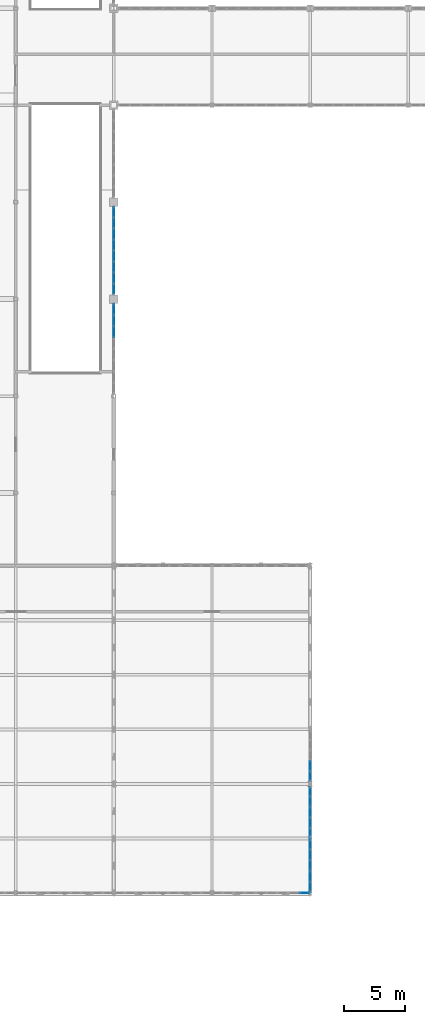
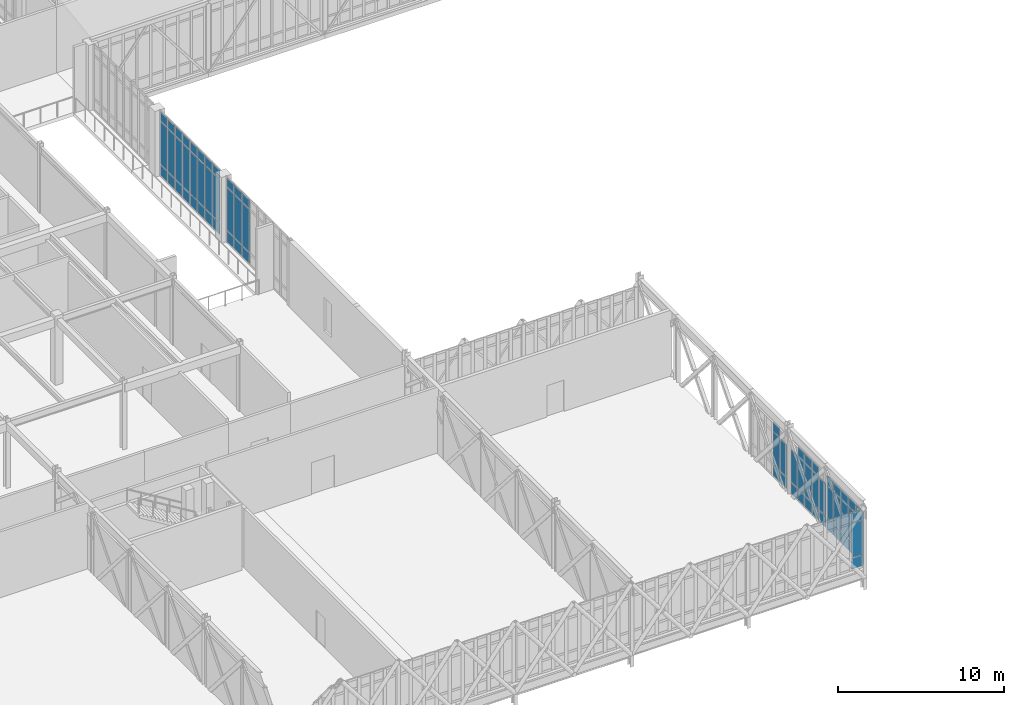
# One storey, part 69 of 107: 69 plates, 6 elements without a shape of their own.
"""IFC4 building model written with IfcOpenShell, lengths in metres."""

from ifc_helpers import new_model, si_unit, direction, frame, origin, origin_2d, place, context, subcontext, project, spatial, rectangle, extrude, material, layer, layer_set, type_object, element, aggregate, save


model = new_model("IFC4")

# Units and contexts
model_context = context("Model", 3, precision=1e-05, world=origin(), true_north=direction((0.0, 1.0)))
body_context = subcontext(model_context, "Body", "Model", "MODEL_VIEW")
ifc_project = project(units=[si_unit("LENGTHUNIT", "METRE"), si_unit("AREAUNIT", "SQUARE_METRE"), si_unit("VOLUMEUNIT", "CUBIC_METRE"), si_unit("PLANEANGLEUNIT", "RADIAN"), si_unit("MASSUNIT", "GRAM", prefix="KILO")], contexts=[model_context])

# Site, building, storey
site_placement = place(None, origin())
site = spatial("IfcSite", under=ifc_project, at=site_placement, CompositionType="ELEMENT")
building_placement = place(site_placement, origin())
building = spatial("IfcBuilding", under=site, at=building_placement, Name="Tarnveldt Square Police Headquarters", CompositionType="ELEMENT")
storey_placement = place(building_placement, frame((0.0, 0.0, 14.699951171875)))
storey = spatial("IfcBuildingStorey", under=building, at=storey_placement, Name="L03", CompositionType="ELEMENT", Elevation=14.699951171875)

# Curtain wall, plates
ifc_material_1 = material(Name="UL 752 Level III laminated ballistic vision glass", Category="glass")
curtain_wall_type_1 = type_object("IfcCurtainWallType", Name="CW-BL-810x422", PredefinedType="USERDEFINED", material=ifc_material_1)
curtain_wall_1_placement = place(storey_placement, origin())
curtain_wall_1 = element("IfcCurtainWall", 1, at=curtain_wall_1_placement, inside=storey, type_object=curtain_wall_type_1, Name="L03 Curtain Wall CW-L03-029", ObjectType="BALLISTIC CURTAIN WALL", PredefinedType="USERDEFINED")
ifc_layer_1 = layer(ifc_material_1, 0.0380859375)
ifc_layer_set_1 = layer_set([ifc_layer_1], Name="UL 752 Level III laminated ballistic vision glass")
plate_type_1 = type_object("IfcPlateType", Name="CWP-BAL-38", PredefinedType="CURTAIN_PANEL", material=ifc_layer_set_1)
plate_1_placement = place(storey_placement, frame((64.328857421875, 7.0, 0.074951171875), z_axis=(0.0, 0.0, 1.0), x_axis=(1.0, 0.0, 0.0)))
plate_1 = element("IfcPlate", 2, at=plate_1_placement, type_object=plate_type_1, Name="CW-BL12 panel 9.1", PredefinedType="CURTAIN_PANEL", context=body_context, shape_type="SweptSolid", body=[
    extrude(rectangle(XDim=0.7724609375, YDim=0.0380859375, at=origin_2d()), origin(), (0.0, 0.0, 1.0), 0.78759765625),
])
plate_2_placement = place(storey_placement, frame((64.328857421875, 7.0, 0.9375), z_axis=(0.0, 0.0, 1.0), x_axis=(1.0, 0.0, 0.0)))
plate_2 = element("IfcPlate", 3, at=plate_2_placement, type_object=plate_type_1, Name="CW-BL12 panel 9.2", PredefinedType="CURTAIN_PANEL", context=body_context, shape_type="SweptSolid", body=[
    extrude(rectangle(XDim=0.7724609375, YDim=0.0380859375, at=origin_2d()), origin(), (0.0, 0.0, 1.0), 2.4951171875),
])
plate_3_placement = place(storey_placement, frame((64.328857421875, 7.0, 3.5078125), z_axis=(0.0, 0.0, 1.0), x_axis=(1.0, 0.0, 0.0)))
plate_3 = element("IfcPlate", 4, at=plate_3_placement, type_object=plate_type_1, Name="CW-BL12 panel 9.3", PredefinedType="CURTAIN_PANEL", context=body_context, shape_type="SweptSolid", body=[
    extrude(rectangle(XDim=0.7724609375, YDim=0.0380859375, at=origin_2d()), origin(), (0.0, 0.0, 1.0), 0.637451171875),
])
aggregate(curtain_wall_1, [plate_1, plate_2, plate_3])

ifc_material_2 = material(Name="Triple-glazed low-e laminated vision glass", Category="glass")
curtain_wall_type_2 = type_object("IfcCurtainWallType", Name="CW-LT-450x407", PredefinedType="USERDEFINED", material=ifc_material_2)
curtain_wall_2_placement = place(storey_placement, origin())
curtain_wall_2 = element("IfcCurtainWall", 5, at=curtain_wall_2_placement, inside=storey, type_object=curtain_wall_type_2, Name="L03 Curtain Wall CW-L03-037", ObjectType="GLAZED CURTAIN WALL", PredefinedType="USERDEFINED")
ifc_layer_2 = layer(ifc_material_2, 0.028076171875)
ifc_layer_set_2 = layer_set([ifc_layer_2], Name="Triple-glazed low-e laminated vision glass")
plate_type_2 = type_object("IfcPlateType", Name="CWP-VIS-28", PredefinedType="CURTAIN_PANEL", material=ifc_layer_set_2)
plate_4_placement = place(storey_placement, frame((64.800048828125, 7.46875, 0.074951171875), z_axis=(0.0, 0.0, 1.0), x_axis=(0.0, 1.0, 0.0)))
plate_4 = element("IfcPlate", 6, at=plate_4_placement, type_object=plate_type_2, Name="CW-LT16 panel 1.1", PredefinedType="CURTAIN_PANEL", context=body_context, shape_type="SweptSolid", body=[
    extrude(rectangle(XDim=0.78759765625, YDim=0.028076171875, at=origin_2d()), origin(), (0.0, 0.0, 1.0), 0.78759765625),
])
plate_5_placement = place(storey_placement, frame((64.800048828125, 7.46875, 0.9375), z_axis=(0.0, 0.0, 1.0), x_axis=(0.0, 1.0, 0.0)))
plate_5 = element("IfcPlate", 7, at=plate_5_placement, type_object=plate_type_2, Name="CW-LT16 panel 1.2", PredefinedType="CURTAIN_PANEL", context=body_context, shape_type="SweptSolid", body=[
    extrude(rectangle(XDim=0.78759765625, YDim=0.028076171875, at=origin_2d()), origin(), (0.0, 0.0, 1.0), 2.341064453125),
])
plate_6_placement = place(storey_placement, frame((64.800048828125, 7.46875, 3.353515625), z_axis=(0.0, 0.0, 1.0), x_axis=(0.0, 1.0, 0.0)))
plate_6 = element("IfcPlate", 8, at=plate_6_placement, type_object=plate_type_2, Name="CW-LT16 panel 1.3", PredefinedType="CURTAIN_PANEL", context=body_context, shape_type="SweptSolid", body=[
    extrude(rectangle(XDim=0.78759765625, YDim=0.028076171875, at=origin_2d()), origin(), (0.0, 0.0, 1.0), 0.637451171875),
])
plate_7_placement = place(storey_placement, frame((64.800048828125, 8.35009765625, 0.074951171875), z_axis=(0.0, 0.0, 1.0), x_axis=(0.0, 1.0, 0.0)))
plate_7 = element("IfcPlate", 9, at=plate_7_placement, type_object=plate_type_2, Name="CW-LT16 panel 2.1", PredefinedType="CURTAIN_PANEL", context=body_context, shape_type="SweptSolid", body=[
    extrude(rectangle(XDim=0.824951171875, YDim=0.028076171875, at=origin_2d()), origin(), (0.0, 0.0, 1.0), 0.78759765625),
])
plate_8_placement = place(storey_placement, frame((64.800048828125, 8.35009765625, 0.9375), z_axis=(0.0, 0.0, 1.0), x_axis=(0.0, 1.0, 0.0)))
plate_8 = element("IfcPlate", 10, at=plate_8_placement, type_object=plate_type_2, Name="CW-LT16 panel 2.2", PredefinedType="CURTAIN_PANEL", context=body_context, shape_type="SweptSolid", body=[
    extrude(rectangle(XDim=0.824951171875, YDim=0.028076171875, at=origin_2d()), origin(), (0.0, 0.0, 1.0), 2.341064453125),
])
plate_9_placement = place(storey_placement, frame((64.800048828125, 8.35009765625, 3.353515625), z_axis=(0.0, 0.0, 1.0), x_axis=(0.0, 1.0, 0.0)))
plate_9 = element("IfcPlate", 11, at=plate_9_placement, type_object=plate_type_2, Name="CW-LT16 panel 2.3", PredefinedType="CURTAIN_PANEL", context=body_context, shape_type="SweptSolid", body=[
    extrude(rectangle(XDim=0.824951171875, YDim=0.028076171875, at=origin_2d()), origin(), (0.0, 0.0, 1.0), 0.637451171875),
])
plate_10_placement = place(storey_placement, frame((64.800048828125, 9.25, 0.074951171875), z_axis=(0.0, 0.0, 1.0), x_axis=(0.0, 1.0, 0.0)))
plate_10 = element("IfcPlate", 12, at=plate_10_placement, type_object=plate_type_2, Name="CW-LT16 panel 3.1", PredefinedType="CURTAIN_PANEL", context=body_context, shape_type="SweptSolid", body=[
    extrude(rectangle(XDim=0.824951171875, YDim=0.028076171875, at=origin_2d()), origin(), (0.0, 0.0, 1.0), 0.78759765625),
])
plate_11_placement = place(storey_placement, frame((64.800048828125, 9.25, 0.9375), z_axis=(0.0, 0.0, 1.0), x_axis=(0.0, 1.0, 0.0)))
plate_11 = element("IfcPlate", 13, at=plate_11_placement, type_object=plate_type_2, Name="CW-LT16 panel 3.2", PredefinedType="CURTAIN_PANEL", context=body_context, shape_type="SweptSolid", body=[
    extrude(rectangle(XDim=0.824951171875, YDim=0.028076171875, at=origin_2d()), origin(), (0.0, 0.0, 1.0), 2.341064453125),
])
plate_12_placement = place(storey_placement, frame((64.800048828125, 9.25, 3.353515625), z_axis=(0.0, 0.0, 1.0), x_axis=(0.0, 1.0, 0.0)))
plate_12 = element("IfcPlate", 14, at=plate_12_placement, type_object=plate_type_2, Name="CW-LT16 panel 3.3", PredefinedType="CURTAIN_PANEL", context=body_context, shape_type="SweptSolid", body=[
    extrude(rectangle(XDim=0.824951171875, YDim=0.028076171875, at=origin_2d()), origin(), (0.0, 0.0, 1.0), 0.637451171875),
])
plate_13_placement = place(storey_placement, frame((64.800048828125, 10.14990234375, 0.074951171875), z_axis=(0.0, 0.0, 1.0), x_axis=(0.0, 1.0, 0.0)))
plate_13 = element("IfcPlate", 15, at=plate_13_placement, type_object=plate_type_2, Name="CW-LT16 panel 4.1", PredefinedType="CURTAIN_PANEL", context=body_context, shape_type="SweptSolid", body=[
    extrude(rectangle(XDim=0.824951171875, YDim=0.028076171875, at=origin_2d()), origin(), (0.0, 0.0, 1.0), 0.78759765625),
])
plate_14_placement = place(storey_placement, frame((64.800048828125, 10.14990234375, 0.9375), z_axis=(0.0, 0.0, 1.0), x_axis=(0.0, 1.0, 0.0)))
plate_14 = element("IfcPlate", 16, at=plate_14_placement, type_object=plate_type_2, Name="CW-LT16 panel 4.2", PredefinedType="CURTAIN_PANEL", context=body_context, shape_type="SweptSolid", body=[
    extrude(rectangle(XDim=0.824951171875, YDim=0.028076171875, at=origin_2d()), origin(), (0.0, 0.0, 1.0), 2.341064453125),
])
plate_15_placement = place(storey_placement, frame((64.800048828125, 10.14990234375, 3.353515625), z_axis=(0.0, 0.0, 1.0), x_axis=(0.0, 1.0, 0.0)))
plate_15 = element("IfcPlate", 17, at=plate_15_placement, type_object=plate_type_2, Name="CW-LT16 panel 4.3", PredefinedType="CURTAIN_PANEL", context=body_context, shape_type="SweptSolid", body=[
    extrude(rectangle(XDim=0.824951171875, YDim=0.028076171875, at=origin_2d()), origin(), (0.0, 0.0, 1.0), 0.637451171875),
])
plate_16_placement = place(storey_placement, frame((64.800048828125, 11.03125, 0.074951171875), z_axis=(0.0, 0.0, 1.0), x_axis=(0.0, 1.0, 0.0)))
plate_16 = element("IfcPlate", 18, at=plate_16_placement, type_object=plate_type_2, Name="CW-LT16 panel 5.1", PredefinedType="CURTAIN_PANEL", context=body_context, shape_type="SweptSolid", body=[
    extrude(rectangle(XDim=0.78759765625, YDim=0.028076171875, at=origin_2d()), origin(), (0.0, 0.0, 1.0), 0.78759765625),
])
plate_17_placement = place(storey_placement, frame((64.800048828125, 11.03125, 0.9375), z_axis=(0.0, 0.0, 1.0), x_axis=(0.0, 1.0, 0.0)))
plate_17 = element("IfcPlate", 19, at=plate_17_placement, type_object=plate_type_2, Name="CW-LT16 panel 5.2", PredefinedType="CURTAIN_PANEL", context=body_context, shape_type="SweptSolid", body=[
    extrude(rectangle(XDim=0.78759765625, YDim=0.028076171875, at=origin_2d()), origin(), (0.0, 0.0, 1.0), 2.341064453125),
])
plate_18_placement = place(storey_placement, frame((64.800048828125, 11.03125, 3.353515625), z_axis=(0.0, 0.0, 1.0), x_axis=(0.0, 1.0, 0.0)))
plate_18 = element("IfcPlate", 20, at=plate_18_placement, type_object=plate_type_2, Name="CW-LT16 panel 5.3", PredefinedType="CURTAIN_PANEL", context=body_context, shape_type="SweptSolid", body=[
    extrude(rectangle(XDim=0.78759765625, YDim=0.028076171875, at=origin_2d()), origin(), (0.0, 0.0, 1.0), 0.637451171875),
])
aggregate(curtain_wall_2, [plate_4, plate_5, plate_6, plate_7, plate_8, plate_9, plate_10, plate_11, plate_12, plate_13, plate_14, plate_15, plate_16, plate_17, plate_18])

curtain_wall_type_3 = type_object("IfcCurtainWallType", Name="CW-LT-430x407", PredefinedType="USERDEFINED", material=ifc_material_2)
curtain_wall_3_placement = place(storey_placement, origin())
curtain_wall_3 = element("IfcCurtainWall", 21, at=curtain_wall_3_placement, inside=storey, type_object=curtain_wall_type_3, Name="L03 Curtain Wall CW-L03-038", ObjectType="GLAZED CURTAIN WALL", PredefinedType="USERDEFINED")
plate_19_placement = place(storey_placement, frame((64.800048828125, 11.948486328125, 0.074951171875), z_axis=(0.0, 0.0, 1.0), x_axis=(0.0, 1.0, 0.0)))
plate_19 = element("IfcPlate", 22, at=plate_19_placement, type_object=plate_type_2, Name="CW-LT15 panel 1.1", PredefinedType="CURTAIN_PANEL", context=body_context, shape_type="SweptSolid", body=[
    extrude(rectangle(XDim=0.7470703125, YDim=0.028076171875, at=origin_2d()), origin(), (0.0, 0.0, 1.0), 0.78759765625),
])
plate_20_placement = place(storey_placement, frame((64.800048828125, 11.948486328125, 0.9375), z_axis=(0.0, 0.0, 1.0), x_axis=(0.0, 1.0, 0.0)))
plate_20 = element("IfcPlate", 23, at=plate_20_placement, type_object=plate_type_2, Name="CW-LT15 panel 1.2", PredefinedType="CURTAIN_PANEL", context=body_context, shape_type="SweptSolid", body=[
    extrude(rectangle(XDim=0.7470703125, YDim=0.028076171875, at=origin_2d()), origin(), (0.0, 0.0, 1.0), 2.341064453125),
])
plate_21_placement = place(storey_placement, frame((64.800048828125, 12.789306640625, 0.074951171875), z_axis=(0.0, 0.0, 1.0), x_axis=(0.0, 1.0, 0.0)))
plate_21 = element("IfcPlate", 24, at=plate_21_placement, type_object=plate_type_2, Name="CW-LT15 panel 2.1", PredefinedType="CURTAIN_PANEL", context=body_context, shape_type="SweptSolid", body=[
    extrude(rectangle(XDim=0.78466796875, YDim=0.028076171875, at=origin_2d()), origin(), (0.0, 0.0, 1.0), 0.78759765625),
])
plate_22_placement = place(storey_placement, frame((64.800048828125, 12.789306640625, 0.9375), z_axis=(0.0, 0.0, 1.0), x_axis=(0.0, 1.0, 0.0)))
plate_22 = element("IfcPlate", 25, at=plate_22_placement, type_object=plate_type_2, Name="CW-LT15 panel 2.2", PredefinedType="CURTAIN_PANEL", context=body_context, shape_type="SweptSolid", body=[
    extrude(rectangle(XDim=0.78466796875, YDim=0.028076171875, at=origin_2d()), origin(), (0.0, 0.0, 1.0), 2.341064453125),
])
plate_23_placement = place(storey_placement, frame((64.800048828125, 12.789306640625, 3.353515625), z_axis=(0.0, 0.0, 1.0), x_axis=(0.0, 1.0, 0.0)))
plate_23 = element("IfcPlate", 26, at=plate_23_placement, type_object=plate_type_2, Name="CW-LT15 panel 2.3", PredefinedType="CURTAIN_PANEL", context=body_context, shape_type="SweptSolid", body=[
    extrude(rectangle(XDim=0.78466796875, YDim=0.028076171875, at=origin_2d()), origin(), (0.0, 0.0, 1.0), 0.637451171875),
])
plate_24_placement = place(storey_placement, frame((64.800048828125, 13.64892578125, 0.074951171875), z_axis=(0.0, 0.0, 1.0), x_axis=(0.0, 1.0, 0.0)))
plate_24 = element("IfcPlate", 27, at=plate_24_placement, type_object=plate_type_2, Name="CW-LT15 panel 3.1", PredefinedType="CURTAIN_PANEL", context=body_context, shape_type="SweptSolid", body=[
    extrude(rectangle(XDim=0.78466796875, YDim=0.028076171875, at=origin_2d()), origin(), (0.0, 0.0, 1.0), 0.78759765625),
])
plate_25_placement = place(storey_placement, frame((64.800048828125, 13.64892578125, 0.9375), z_axis=(0.0, 0.0, 1.0), x_axis=(0.0, 1.0, 0.0)))
plate_25 = element("IfcPlate", 28, at=plate_25_placement, type_object=plate_type_2, Name="CW-LT15 panel 3.2", PredefinedType="CURTAIN_PANEL", context=body_context, shape_type="SweptSolid", body=[
    extrude(rectangle(XDim=0.78466796875, YDim=0.028076171875, at=origin_2d()), origin(), (0.0, 0.0, 1.0), 2.341064453125),
])
plate_26_placement = place(storey_placement, frame((64.800048828125, 13.64892578125, 3.353515625), z_axis=(0.0, 0.0, 1.0), x_axis=(0.0, 1.0, 0.0)))
plate_26 = element("IfcPlate", 29, at=plate_26_placement, type_object=plate_type_2, Name="CW-LT15 panel 3.3", PredefinedType="CURTAIN_PANEL", context=body_context, shape_type="SweptSolid", body=[
    extrude(rectangle(XDim=0.78466796875, YDim=0.028076171875, at=origin_2d()), origin(), (0.0, 0.0, 1.0), 0.637451171875),
])
plate_27_placement = place(storey_placement, frame((64.800048828125, 14.508544921875, 0.074951171875), z_axis=(0.0, 0.0, 1.0), x_axis=(0.0, 1.0, 0.0)))
plate_27 = element("IfcPlate", 30, at=plate_27_placement, type_object=plate_type_2, Name="CW-LT15 panel 4.1", PredefinedType="CURTAIN_PANEL", context=body_context, shape_type="SweptSolid", body=[
    extrude(rectangle(XDim=0.78466796875, YDim=0.028076171875, at=origin_2d()), origin(), (0.0, 0.0, 1.0), 0.78759765625),
])
plate_28_placement = place(storey_placement, frame((64.800048828125, 14.508544921875, 0.9375), z_axis=(0.0, 0.0, 1.0), x_axis=(0.0, 1.0, 0.0)))
plate_28 = element("IfcPlate", 31, at=plate_28_placement, type_object=plate_type_2, Name="CW-LT15 panel 4.2", PredefinedType="CURTAIN_PANEL", context=body_context, shape_type="SweptSolid", body=[
    extrude(rectangle(XDim=0.78466796875, YDim=0.028076171875, at=origin_2d()), origin(), (0.0, 0.0, 1.0), 2.341064453125),
])
plate_29_placement = place(storey_placement, frame((64.800048828125, 14.508544921875, 3.353515625), z_axis=(0.0, 0.0, 1.0), x_axis=(0.0, 1.0, 0.0)))
plate_29 = element("IfcPlate", 32, at=plate_29_placement, type_object=plate_type_2, Name="CW-LT15 panel 4.3", PredefinedType="CURTAIN_PANEL", context=body_context, shape_type="SweptSolid", body=[
    extrude(rectangle(XDim=0.78466796875, YDim=0.028076171875, at=origin_2d()), origin(), (0.0, 0.0, 1.0), 0.637451171875),
])
plate_30_placement = place(storey_placement, frame((64.800048828125, 15.349365234375, 0.074951171875), z_axis=(0.0, 0.0, 1.0), x_axis=(0.0, 1.0, 0.0)))
plate_30 = element("IfcPlate", 33, at=plate_30_placement, type_object=plate_type_2, Name="CW-LT15 panel 5.1", PredefinedType="CURTAIN_PANEL", context=body_context, shape_type="SweptSolid", body=[
    extrude(rectangle(XDim=0.7470703125, YDim=0.028076171875, at=origin_2d()), origin(), (0.0, 0.0, 1.0), 0.78759765625),
])
plate_31_placement = place(storey_placement, frame((64.800048828125, 15.349365234375, 0.9375), z_axis=(0.0, 0.0, 1.0), x_axis=(0.0, 1.0, 0.0)))
plate_31 = element("IfcPlate", 34, at=plate_31_placement, type_object=plate_type_2, Name="CW-LT15 panel 5.2", PredefinedType="CURTAIN_PANEL", context=body_context, shape_type="SweptSolid", body=[
    extrude(rectangle(XDim=0.7470703125, YDim=0.028076171875, at=origin_2d()), origin(), (0.0, 0.0, 1.0), 2.341064453125),
])
aggregate(curtain_wall_3, [plate_19, plate_20, plate_21, plate_22, plate_23, plate_24, plate_25, plate_26, plate_27, plate_28, plate_29, plate_30, plate_31])

curtain_wall_4_placement = place(storey_placement, origin())
curtain_wall_4 = element("IfcCurtainWall", 35, at=curtain_wall_4_placement, inside=storey, type_object=curtain_wall_type_3, Name="L03 Curtain Wall CW-L03-039", ObjectType="GLAZED CURTAIN WALL", PredefinedType="USERDEFINED")
plate_32_placement = place(storey_placement, frame((64.800048828125, 16.650634765625, 0.074951171875), z_axis=(0.0, 0.0, 1.0), x_axis=(0.0, 1.0, 0.0)))
plate_32 = element("IfcPlate", 36, at=plate_32_placement, type_object=plate_type_2, Name="CW-LT15 panel 1.1", PredefinedType="CURTAIN_PANEL", context=body_context, shape_type="SweptSolid", body=[
    extrude(rectangle(XDim=0.7470703125, YDim=0.028076171875, at=origin_2d()), origin(), (0.0, 0.0, 1.0), 0.78759765625),
])
plate_33_placement = place(storey_placement, frame((64.800048828125, 16.650634765625, 0.9375), z_axis=(0.0, 0.0, 1.0), x_axis=(0.0, 1.0, 0.0)))
plate_33 = element("IfcPlate", 37, at=plate_33_placement, type_object=plate_type_2, Name="CW-LT15 panel 1.2", PredefinedType="CURTAIN_PANEL", context=body_context, shape_type="SweptSolid", body=[
    extrude(rectangle(XDim=0.7470703125, YDim=0.028076171875, at=origin_2d()), origin(), (0.0, 0.0, 1.0), 2.341064453125),
])
plate_34_placement = place(storey_placement, frame((64.800048828125, 17.491455078125, 0.074951171875), z_axis=(0.0, 0.0, 1.0), x_axis=(0.0, 1.0, 0.0)))
plate_34 = element("IfcPlate", 38, at=plate_34_placement, type_object=plate_type_2, Name="CW-LT15 panel 2.1", PredefinedType="CURTAIN_PANEL", context=body_context, shape_type="SweptSolid", body=[
    extrude(rectangle(XDim=0.78466796875, YDim=0.028076171875, at=origin_2d()), origin(), (0.0, 0.0, 1.0), 0.78759765625),
])
plate_35_placement = place(storey_placement, frame((64.800048828125, 17.491455078125, 0.9375), z_axis=(0.0, 0.0, 1.0), x_axis=(0.0, 1.0, 0.0)))
plate_35 = element("IfcPlate", 39, at=plate_35_placement, type_object=plate_type_2, Name="CW-LT15 panel 2.2", PredefinedType="CURTAIN_PANEL", context=body_context, shape_type="SweptSolid", body=[
    extrude(rectangle(XDim=0.78466796875, YDim=0.028076171875, at=origin_2d()), origin(), (0.0, 0.0, 1.0), 2.341064453125),
])
plate_36_placement = place(storey_placement, frame((64.800048828125, 17.491455078125, 3.353515625), z_axis=(0.0, 0.0, 1.0), x_axis=(0.0, 1.0, 0.0)))
plate_36 = element("IfcPlate", 40, at=plate_36_placement, type_object=plate_type_2, Name="CW-LT15 panel 2.3", PredefinedType="CURTAIN_PANEL", context=body_context, shape_type="SweptSolid", body=[
    extrude(rectangle(XDim=0.78466796875, YDim=0.028076171875, at=origin_2d()), origin(), (0.0, 0.0, 1.0), 0.637451171875),
])
aggregate(curtain_wall_4, [plate_32, plate_33, plate_34, plate_35, plate_36])

curtain_wall_type_4 = type_object("IfcCurtainWallType", Name="CW-WG-747x484", PredefinedType="USERDEFINED", material=ifc_material_2)
curtain_wall_5_placement = place(storey_placement, origin())
curtain_wall_5 = element("IfcCurtainWall", 41, at=curtain_wall_5_placement, inside=storey, type_object=curtain_wall_type_4, Name="L03 Curtain Wall CW-L03-078", ObjectType="GLAZED CURTAIN WALL", PredefinedType="USERDEFINED")
plate_37_placement = place(storey_placement, frame((48.60009765625, 53.30126953125, 0.074951171875), z_axis=(0.0, 0.0, 1.0), x_axis=(0.0, 1.0, 0.0)))
plate_37 = element("IfcPlate", 42, at=plate_37_placement, type_object=plate_type_2, Name="CW-WG38 panel 6.1", PredefinedType="CURTAIN_PANEL", context=body_context, shape_type="SweptSolid", body=[
    extrude(rectangle(XDim=0.8583984375, YDim=0.028076171875, at=origin_2d()), origin(), (0.0, 0.0, 1.0), 0.78759765625),
])
plate_38_placement = place(storey_placement, frame((48.60009765625, 53.30126953125, 0.9375), z_axis=(0.0, 0.0, 1.0), x_axis=(0.0, 1.0, 0.0)))
plate_38 = element("IfcPlate", 43, at=plate_38_placement, type_object=plate_type_2, Name="CW-WG38 panel 6.2", PredefinedType="CURTAIN_PANEL", context=body_context, shape_type="SweptSolid", body=[
    extrude(rectangle(XDim=0.8583984375, YDim=0.028076171875, at=origin_2d()), origin(), (0.0, 0.0, 1.0), 3.114990234375),
])
plate_39_placement = place(storey_placement, frame((48.60009765625, 53.30126953125, 4.12744140625), z_axis=(0.0, 0.0, 1.0), x_axis=(0.0, 1.0, 0.0)))
plate_39 = element("IfcPlate", 44, at=plate_39_placement, type_object=plate_type_2, Name="CW-WG38 panel 6.3", PredefinedType="CURTAIN_PANEL", context=body_context, shape_type="SweptSolid", body=[
    extrude(rectangle(XDim=0.8583984375, YDim=0.028076171875, at=origin_2d()), origin(), (0.0, 0.0, 1.0), 0.637451171875),
])
plate_40_placement = place(storey_placement, frame((48.60009765625, 54.23486328125, 0.074951171875), z_axis=(0.0, 0.0, 1.0), x_axis=(0.0, 1.0, 0.0)))
plate_40 = element("IfcPlate", 45, at=plate_40_placement, type_object=plate_type_2, Name="CW-WG38 panel 7.1", PredefinedType="CURTAIN_PANEL", context=body_context, shape_type="SweptSolid", body=[
    extrude(rectangle(XDim=0.8583984375, YDim=0.028076171875, at=origin_2d()), origin(), (0.0, 0.0, 1.0), 0.78759765625),
])
plate_41_placement = place(storey_placement, frame((48.60009765625, 54.23486328125, 0.9375), z_axis=(0.0, 0.0, 1.0), x_axis=(0.0, 1.0, 0.0)))
plate_41 = element("IfcPlate", 46, at=plate_41_placement, type_object=plate_type_2, Name="CW-WG38 panel 7.2", PredefinedType="CURTAIN_PANEL", context=body_context, shape_type="SweptSolid", body=[
    extrude(rectangle(XDim=0.8583984375, YDim=0.028076171875, at=origin_2d()), origin(), (0.0, 0.0, 1.0), 3.114990234375),
])
plate_42_placement = place(storey_placement, frame((48.60009765625, 54.23486328125, 4.12744140625), z_axis=(0.0, 0.0, 1.0), x_axis=(0.0, 1.0, 0.0)))
plate_42 = element("IfcPlate", 47, at=plate_42_placement, type_object=plate_type_2, Name="CW-WG38 panel 7.3", PredefinedType="CURTAIN_PANEL", context=body_context, shape_type="SweptSolid", body=[
    extrude(rectangle(XDim=0.8583984375, YDim=0.028076171875, at=origin_2d()), origin(), (0.0, 0.0, 1.0), 0.637451171875),
])
plate_43_placement = place(storey_placement, frame((48.60009765625, 55.1494140625, 0.074951171875), z_axis=(0.0, 0.0, 1.0), x_axis=(0.0, 1.0, 0.0)))
plate_43 = element("IfcPlate", 48, at=plate_43_placement, type_object=plate_type_2, Name="CW-WG38 panel 8.1", PredefinedType="CURTAIN_PANEL", context=body_context, shape_type="SweptSolid", body=[
    extrude(rectangle(XDim=0.821044921875, YDim=0.028076171875, at=origin_2d()), origin(), (0.0, 0.0, 1.0), 0.78759765625),
])
plate_44_placement = place(storey_placement, frame((48.60009765625, 55.1494140625, 0.9375), z_axis=(0.0, 0.0, 1.0), x_axis=(0.0, 1.0, 0.0)))
plate_44 = element("IfcPlate", 49, at=plate_44_placement, type_object=plate_type_2, Name="CW-WG38 panel 8.2", PredefinedType="CURTAIN_PANEL", context=body_context, shape_type="SweptSolid", body=[
    extrude(rectangle(XDim=0.821044921875, YDim=0.028076171875, at=origin_2d()), origin(), (0.0, 0.0, 1.0), 3.114990234375),
])
plate_45_placement = place(storey_placement, frame((48.60009765625, 55.1494140625, 4.12744140625), z_axis=(0.0, 0.0, 1.0), x_axis=(0.0, 1.0, 0.0)))
plate_45 = element("IfcPlate", 50, at=plate_45_placement, type_object=plate_type_2, Name="CW-WG38 panel 8.3", PredefinedType="CURTAIN_PANEL", context=body_context, shape_type="SweptSolid", body=[
    extrude(rectangle(XDim=0.821044921875, YDim=0.028076171875, at=origin_2d()), origin(), (0.0, 0.0, 1.0), 0.637451171875),
])
aggregate(curtain_wall_5, [plate_37, plate_38, plate_39, plate_40, plate_41, plate_42, plate_43, plate_44, plate_45])

curtain_wall_type_5 = type_object("IfcCurtainWallType", Name="CW-WG-727x484", PredefinedType="USERDEFINED", material=ifc_material_2)
curtain_wall_6_placement = place(storey_placement, origin())
curtain_wall_6 = element("IfcCurtainWall", 51, at=curtain_wall_6_placement, inside=storey, type_object=curtain_wall_type_5, Name="L03 Curtain Wall CW-L03-079", ObjectType="GLAZED CURTAIN WALL", PredefinedType="USERDEFINED")
plate_46_placement = place(storey_placement, frame((48.60009765625, 56.838134765625, 0.074951171875), z_axis=(0.0, 0.0, 1.0), x_axis=(0.0, 1.0, 0.0)))
plate_46 = element("IfcPlate", 52, at=plate_46_placement, type_object=plate_type_2, Name="CW-WG39 panel 1.1", PredefinedType="CURTAIN_PANEL", context=body_context, shape_type="SweptSolid", body=[
    extrude(rectangle(XDim=0.796142578125, YDim=0.028076171875, at=origin_2d()), origin(), (0.0, 0.0, 1.0), 0.78759765625),
])
plate_47_placement = place(storey_placement, frame((48.60009765625, 56.838134765625, 0.9375), z_axis=(0.0, 0.0, 1.0), x_axis=(0.0, 1.0, 0.0)))
plate_47 = element("IfcPlate", 53, at=plate_47_placement, type_object=plate_type_2, Name="CW-WG39 panel 1.2", PredefinedType="CURTAIN_PANEL", context=body_context, shape_type="SweptSolid", body=[
    extrude(rectangle(XDim=0.796142578125, YDim=0.028076171875, at=origin_2d()), origin(), (0.0, 0.0, 1.0), 3.114990234375),
])
plate_48_placement = place(storey_placement, frame((48.60009765625, 56.838134765625, 4.12744140625), z_axis=(0.0, 0.0, 1.0), x_axis=(0.0, 1.0, 0.0)))
plate_48 = element("IfcPlate", 54, at=plate_48_placement, type_object=plate_type_2, Name="CW-WG39 panel 1.3", PredefinedType="CURTAIN_PANEL", context=body_context, shape_type="SweptSolid", body=[
    extrude(rectangle(XDim=0.796142578125, YDim=0.028076171875, at=origin_2d()), origin(), (0.0, 0.0, 1.0), 0.637451171875),
])
plate_49_placement = place(storey_placement, frame((48.60009765625, 57.72802734375, 0.074951171875), z_axis=(0.0, 0.0, 1.0), x_axis=(0.0, 1.0, 0.0)))
plate_49 = element("IfcPlate", 55, at=plate_49_placement, type_object=plate_type_2, Name="CW-WG39 panel 2.1", PredefinedType="CURTAIN_PANEL", context=body_context, shape_type="SweptSolid", body=[
    extrude(rectangle(XDim=0.833740234375, YDim=0.028076171875, at=origin_2d()), origin(), (0.0, 0.0, 1.0), 0.78759765625),
])
plate_50_placement = place(storey_placement, frame((48.60009765625, 57.72802734375, 0.9375), z_axis=(0.0, 0.0, 1.0), x_axis=(0.0, 1.0, 0.0)))
plate_50 = element("IfcPlate", 56, at=plate_50_placement, type_object=plate_type_2, Name="CW-WG39 panel 2.2", PredefinedType="CURTAIN_PANEL", context=body_context, shape_type="SweptSolid", body=[
    extrude(rectangle(XDim=0.833740234375, YDim=0.028076171875, at=origin_2d()), origin(), (0.0, 0.0, 1.0), 3.114990234375),
])
plate_51_placement = place(storey_placement, frame((48.60009765625, 57.72802734375, 4.12744140625), z_axis=(0.0, 0.0, 1.0), x_axis=(0.0, 1.0, 0.0)))
plate_51 = element("IfcPlate", 57, at=plate_51_placement, type_object=plate_type_2, Name="CW-WG39 panel 2.3", PredefinedType="CURTAIN_PANEL", context=body_context, shape_type="SweptSolid", body=[
    extrude(rectangle(XDim=0.833740234375, YDim=0.028076171875, at=origin_2d()), origin(), (0.0, 0.0, 1.0), 0.637451171875),
])
plate_52_placement = place(storey_placement, frame((48.60009765625, 58.636962890625, 0.074951171875), z_axis=(0.0, 0.0, 1.0), x_axis=(0.0, 1.0, 0.0)))
plate_52 = element("IfcPlate", 58, at=plate_52_placement, type_object=plate_type_2, Name="CW-WG39 panel 3.1", PredefinedType="CURTAIN_PANEL", context=body_context, shape_type="SweptSolid", body=[
    extrude(rectangle(XDim=0.833740234375, YDim=0.028076171875, at=origin_2d()), origin(), (0.0, 0.0, 1.0), 0.78759765625),
])
plate_53_placement = place(storey_placement, frame((48.60009765625, 58.636962890625, 0.9375), z_axis=(0.0, 0.0, 1.0), x_axis=(0.0, 1.0, 0.0)))
plate_53 = element("IfcPlate", 59, at=plate_53_placement, type_object=plate_type_2, Name="CW-WG39 panel 3.2", PredefinedType="CURTAIN_PANEL", context=body_context, shape_type="SweptSolid", body=[
    extrude(rectangle(XDim=0.833740234375, YDim=0.028076171875, at=origin_2d()), origin(), (0.0, 0.0, 1.0), 3.114990234375),
])
plate_54_placement = place(storey_placement, frame((48.60009765625, 58.636962890625, 4.12744140625), z_axis=(0.0, 0.0, 1.0), x_axis=(0.0, 1.0, 0.0)))
plate_54 = element("IfcPlate", 60, at=plate_54_placement, type_object=plate_type_2, Name="CW-WG39 panel 3.3", PredefinedType="CURTAIN_PANEL", context=body_context, shape_type="SweptSolid", body=[
    extrude(rectangle(XDim=0.833740234375, YDim=0.028076171875, at=origin_2d()), origin(), (0.0, 0.0, 1.0), 0.637451171875),
])
plate_55_placement = place(storey_placement, frame((48.60009765625, 59.545654296875, 0.074951171875), z_axis=(0.0, 0.0, 1.0), x_axis=(0.0, 1.0, 0.0)))
plate_55 = element("IfcPlate", 61, at=plate_55_placement, type_object=plate_type_2, Name="CW-WG39 panel 4.1", PredefinedType="CURTAIN_PANEL", context=body_context, shape_type="SweptSolid", body=[
    extrude(rectangle(XDim=0.833740234375, YDim=0.028076171875, at=origin_2d()), origin(), (0.0, 0.0, 1.0), 0.78759765625),
])
plate_56_placement = place(storey_placement, frame((48.60009765625, 59.545654296875, 0.9375), z_axis=(0.0, 0.0, 1.0), x_axis=(0.0, 1.0, 0.0)))
plate_56 = element("IfcPlate", 62, at=plate_56_placement, type_object=plate_type_2, Name="CW-WG39 panel 4.2", PredefinedType="CURTAIN_PANEL", context=body_context, shape_type="SweptSolid", body=[
    extrude(rectangle(XDim=0.833740234375, YDim=0.028076171875, at=origin_2d()), origin(), (0.0, 0.0, 1.0), 3.114990234375),
])
plate_57_placement = place(storey_placement, frame((48.60009765625, 59.545654296875, 4.12744140625), z_axis=(0.0, 0.0, 1.0), x_axis=(0.0, 1.0, 0.0)))
plate_57 = element("IfcPlate", 63, at=plate_57_placement, type_object=plate_type_2, Name="CW-WG39 panel 4.3", PredefinedType="CURTAIN_PANEL", context=body_context, shape_type="SweptSolid", body=[
    extrude(rectangle(XDim=0.833740234375, YDim=0.028076171875, at=origin_2d()), origin(), (0.0, 0.0, 1.0), 0.637451171875),
])
plate_58_placement = place(storey_placement, frame((48.60009765625, 60.454345703125, 0.074951171875), z_axis=(0.0, 0.0, 1.0), x_axis=(0.0, 1.0, 0.0)))
plate_58 = element("IfcPlate", 64, at=plate_58_placement, type_object=plate_type_2, Name="CW-WG39 panel 5.1", PredefinedType="CURTAIN_PANEL", context=body_context, shape_type="SweptSolid", body=[
    extrude(rectangle(XDim=0.833740234375, YDim=0.028076171875, at=origin_2d()), origin(), (0.0, 0.0, 1.0), 0.78759765625),
])
plate_59_placement = place(storey_placement, frame((48.60009765625, 60.454345703125, 0.9375), z_axis=(0.0, 0.0, 1.0), x_axis=(0.0, 1.0, 0.0)))
plate_59 = element("IfcPlate", 65, at=plate_59_placement, type_object=plate_type_2, Name="CW-WG39 panel 5.2", PredefinedType="CURTAIN_PANEL", context=body_context, shape_type="SweptSolid", body=[
    extrude(rectangle(XDim=0.833740234375, YDim=0.028076171875, at=origin_2d()), origin(), (0.0, 0.0, 1.0), 3.114990234375),
])
plate_60_placement = place(storey_placement, frame((48.60009765625, 60.454345703125, 4.12744140625), z_axis=(0.0, 0.0, 1.0), x_axis=(0.0, 1.0, 0.0)))
plate_60 = element("IfcPlate", 66, at=plate_60_placement, type_object=plate_type_2, Name="CW-WG39 panel 5.3", PredefinedType="CURTAIN_PANEL", context=body_context, shape_type="SweptSolid", body=[
    extrude(rectangle(XDim=0.833740234375, YDim=0.028076171875, at=origin_2d()), origin(), (0.0, 0.0, 1.0), 0.637451171875),
])
plate_61_placement = place(storey_placement, frame((48.60009765625, 61.363037109375, 0.074951171875), z_axis=(0.0, 0.0, 1.0), x_axis=(0.0, 1.0, 0.0)))
plate_61 = element("IfcPlate", 67, at=plate_61_placement, type_object=plate_type_2, Name="CW-WG39 panel 6.1", PredefinedType="CURTAIN_PANEL", context=body_context, shape_type="SweptSolid", body=[
    extrude(rectangle(XDim=0.833740234375, YDim=0.028076171875, at=origin_2d()), origin(), (0.0, 0.0, 1.0), 0.78759765625),
])
plate_62_placement = place(storey_placement, frame((48.60009765625, 61.363037109375, 0.9375), z_axis=(0.0, 0.0, 1.0), x_axis=(0.0, 1.0, 0.0)))
plate_62 = element("IfcPlate", 68, at=plate_62_placement, type_object=plate_type_2, Name="CW-WG39 panel 6.2", PredefinedType="CURTAIN_PANEL", context=body_context, shape_type="SweptSolid", body=[
    extrude(rectangle(XDim=0.833740234375, YDim=0.028076171875, at=origin_2d()), origin(), (0.0, 0.0, 1.0), 3.114990234375),
])
plate_63_placement = place(storey_placement, frame((48.60009765625, 61.363037109375, 4.12744140625), z_axis=(0.0, 0.0, 1.0), x_axis=(0.0, 1.0, 0.0)))
plate_63 = element("IfcPlate", 69, at=plate_63_placement, type_object=plate_type_2, Name="CW-WG39 panel 6.3", PredefinedType="CURTAIN_PANEL", context=body_context, shape_type="SweptSolid", body=[
    extrude(rectangle(XDim=0.833740234375, YDim=0.028076171875, at=origin_2d()), origin(), (0.0, 0.0, 1.0), 0.637451171875),
])
plate_64_placement = place(storey_placement, frame((48.60009765625, 62.27197265625, 0.074951171875), z_axis=(0.0, 0.0, 1.0), x_axis=(0.0, 1.0, 0.0)))
plate_64 = element("IfcPlate", 70, at=plate_64_placement, type_object=plate_type_2, Name="CW-WG39 panel 7.1", PredefinedType="CURTAIN_PANEL", context=body_context, shape_type="SweptSolid", body=[
    extrude(rectangle(XDim=0.833740234375, YDim=0.028076171875, at=origin_2d()), origin(), (0.0, 0.0, 1.0), 0.78759765625),
])
plate_65_placement = place(storey_placement, frame((48.60009765625, 62.27197265625, 0.9375), z_axis=(0.0, 0.0, 1.0), x_axis=(0.0, 1.0, 0.0)))
plate_65 = element("IfcPlate", 71, at=plate_65_placement, type_object=plate_type_2, Name="CW-WG39 panel 7.2", PredefinedType="CURTAIN_PANEL", context=body_context, shape_type="SweptSolid", body=[
    extrude(rectangle(XDim=0.833740234375, YDim=0.028076171875, at=origin_2d()), origin(), (0.0, 0.0, 1.0), 3.114990234375),
])
plate_66_placement = place(storey_placement, frame((48.60009765625, 62.27197265625, 4.12744140625), z_axis=(0.0, 0.0, 1.0), x_axis=(0.0, 1.0, 0.0)))
plate_66 = element("IfcPlate", 72, at=plate_66_placement, type_object=plate_type_2, Name="CW-WG39 panel 7.3", PredefinedType="CURTAIN_PANEL", context=body_context, shape_type="SweptSolid", body=[
    extrude(rectangle(XDim=0.833740234375, YDim=0.028076171875, at=origin_2d()), origin(), (0.0, 0.0, 1.0), 0.637451171875),
])
plate_67_placement = place(storey_placement, frame((48.60009765625, 63.161865234375, 0.074951171875), z_axis=(0.0, 0.0, 1.0), x_axis=(0.0, 1.0, 0.0)))
plate_67 = element("IfcPlate", 73, at=plate_67_placement, type_object=plate_type_2, Name="CW-WG39 panel 8.1", PredefinedType="CURTAIN_PANEL", context=body_context, shape_type="SweptSolid", body=[
    extrude(rectangle(XDim=0.796142578125, YDim=0.028076171875, at=origin_2d()), origin(), (0.0, 0.0, 1.0), 0.78759765625),
])
plate_68_placement = place(storey_placement, frame((48.60009765625, 63.161865234375, 0.9375), z_axis=(0.0, 0.0, 1.0), x_axis=(0.0, 1.0, 0.0)))
plate_68 = element("IfcPlate", 74, at=plate_68_placement, type_object=plate_type_2, Name="CW-WG39 panel 8.2", PredefinedType="CURTAIN_PANEL", context=body_context, shape_type="SweptSolid", body=[
    extrude(rectangle(XDim=0.796142578125, YDim=0.028076171875, at=origin_2d()), origin(), (0.0, 0.0, 1.0), 3.114990234375),
])
plate_69_placement = place(storey_placement, frame((48.60009765625, 63.161865234375, 4.12744140625), z_axis=(0.0, 0.0, 1.0), x_axis=(0.0, 1.0, 0.0)))
plate_69 = element("IfcPlate", 75, at=plate_69_placement, type_object=plate_type_2, Name="CW-WG39 panel 8.3", PredefinedType="CURTAIN_PANEL", context=body_context, shape_type="SweptSolid", body=[
    extrude(rectangle(XDim=0.796142578125, YDim=0.028076171875, at=origin_2d()), origin(), (0.0, 0.0, 1.0), 0.637451171875),
])
aggregate(curtain_wall_6, [plate_46, plate_47, plate_48, plate_49, plate_50, plate_51, plate_52, plate_53, plate_54, plate_55, plate_56, plate_57, plate_58, plate_59, plate_60, plate_61, plate_62, plate_63, plate_64, plate_65, plate_66, plate_67, plate_68, plate_69])

save(model, "model.ifc")
